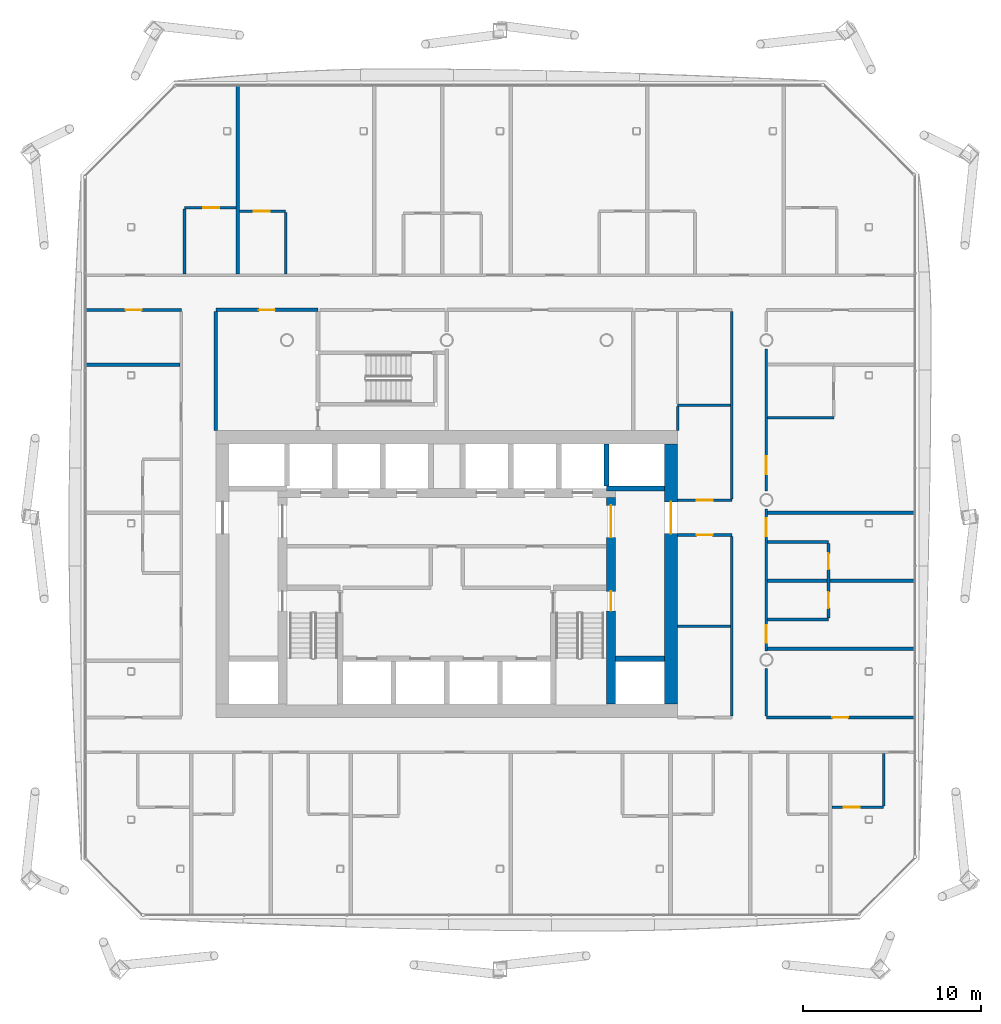
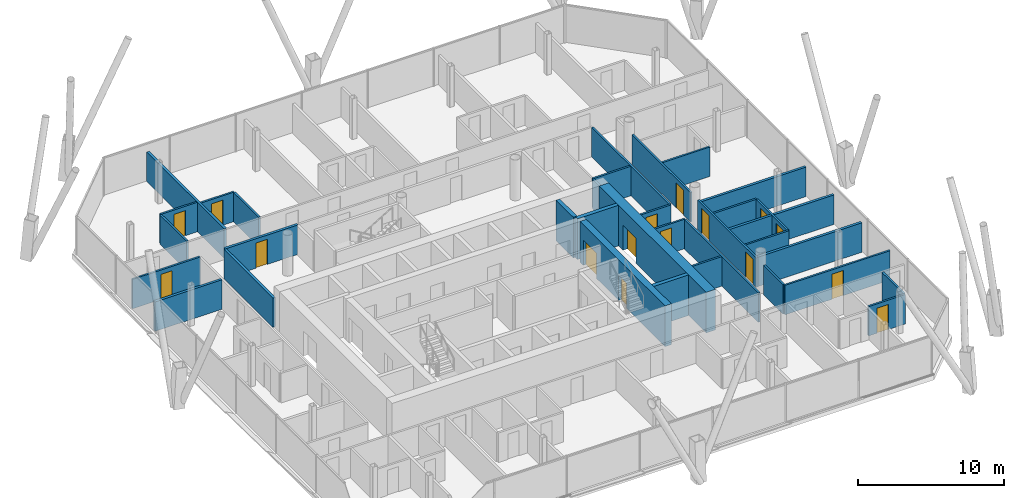
# One storey, part 15 of 22: 34 walls, 16 doors, 16 openings.
"""IFC4 building model written with IfcOpenShell, lengths in metres."""

from ifc_helpers import new_model, si_unit, direction, frame, frame_2d, origin, place, context, subcontext, project, spatial, rectangle, extrude, material, layer, layer_set, type_object, element, fill, save


model = new_model("IFC4")

# Units and contexts
model_context = context("Model", 3, precision=1e-05, world=origin(), true_north=direction((0.0, 1.0)))
body_context = subcontext(model_context, "Body", "Model", "MODEL_VIEW")
ifc_project = project(units=[si_unit("LENGTHUNIT", "METRE"), si_unit("AREAUNIT", "SQUARE_METRE"), si_unit("VOLUMEUNIT", "CUBIC_METRE"), si_unit("PLANEANGLEUNIT", "RADIAN"), si_unit("MASSUNIT", "GRAM", prefix="KILO")], contexts=[model_context])

# Site, building, storey
site_placement = place(None, origin())
site = spatial("IfcSite", under=ifc_project, at=site_placement, CompositionType="ELEMENT")
building_placement = place(site_placement, origin())
building = spatial("IfcBuilding", under=site, at=building_placement, Name="Tskaro Facet Tower", CompositionType="ELEMENT")
storey_placement = place(building_placement, frame((0.0, 0.0, 121.5)))
storey = spatial("IfcBuildingStorey", under=building, at=storey_placement, Name="L28", CompositionType="ELEMENT", Elevation=121.5)

# Walls
ifc_material_1 = material(Name="Concrete C60/75", Category="concrete")
ifc_layer_1 = layer(ifc_material_1, 0.300048828125, Name="Concrete C60/75")
ifc_layer_set_1 = layer_set([ifc_layer_1], Name="Concrete C60/75")
wall_type_1 = type_object("IfcWallType", Name="CORE-SHAFT", PredefinedType="SHEAR", material=ifc_layer_set_1)
wall_1_placement = place(storey_placement, frame((9.5, -8.949951171875, 0.0), z_axis=(0.0, 0.0, 1.0), x_axis=(1.0, 0.0, 0.0)))
element("IfcWall", 1, at=wall_1_placement, inside=storey, type_object=wall_type_1, Name="Shaft wall W016", PredefinedType="SHEAR", context=body_context, shape_type="SweptSolid", body=[
    extrude(rectangle(XDim=2.75, YDim=0.300048828125, at=frame_2d((1.375, 0.0))), origin(), (0.0, 0.0, 1.0), 3.39990234375),
])
wall_2_placement = place(storey_placement, frame((12.25, 0.64990234375, 0.0), z_axis=(0.0, 0.0, 1.0), x_axis=(-1.0, 0.0, 0.0)))
element("IfcWall", 2, at=wall_2_placement, inside=storey, type_object=wall_type_1, Name="Shaft wall W033", PredefinedType="SHEAR", context=body_context, shape_type="SweptSolid", body=[
    extrude(rectangle(XDim=3.25, YDim=0.300048828125, at=frame_2d((1.625, 0.0))), origin(), (0.0, 0.0, 1.0), 3.39990234375),
])
wall_3_placement = place(storey_placement, frame((9.0, 0.800048828125, 0.0), z_axis=(0.0, 0.0, 1.0), x_axis=(0.0, 1.0, 0.0)))
element("IfcWall", 3, at=wall_3_placement, inside=storey, type_object=wall_type_1, Name="Shaft wall W095", PredefinedType="SHEAR", context=body_context, shape_type="SweptSolid", body=[
    extrude(rectangle(XDim=2.349853515625, YDim=0.300048828125, at=frame_2d((1.1748046875, 0.0))), origin(), (0.0, 0.0, 1.0), 3.39990234375),
])

# Wall, openings, doors
ifc_material_2 = material(Name="Concrete C40/50", Category="concrete")
ifc_layer_2 = layer(ifc_material_2, 0.5, Name="Concrete C40/50")
ifc_layer_set_2 = layer_set([ifc_layer_2], Name="Concrete C40/50")
wall_type_2 = type_object("IfcWallType", Name="Core wall 500", PredefinedType="SHEAR", material=ifc_layer_set_2)
wall_4_placement = place(storey_placement, frame((9.25, -11.5, 0.0), z_axis=(0.0, 0.0, 1.0), x_axis=(0.0, 1.0, 0.0)))
wall_4 = element("IfcWall", 4, at=wall_4_placement, inside=storey, type_object=wall_type_2, Name="Core wall CW-Z3E", PredefinedType="SHEAR", context=body_context, shape_type="SweptSolid", body=[
    extrude(rectangle(XDim=11.64990234375, YDim=0.5, at=frame_2d((5.824951171875, 0.0))), origin(), (0.0, 0.0, 1.0), 3.39990234375),
])
opening_1_placement = place(wall_4_placement, frame((9.39990234375, 0.0, 0.0)))
opening_1 = element("IfcOpeningElement", 5, at=opening_1_placement, cuts=wall_4, Name="Opening T8-D32", PredefinedType="OPENING", context=body_context, shape_type="SweptSolid", body=[
    extrude(rectangle(XDim=1.800048828125, YDim=2.10009765625, at=frame_2d((0.89990234375, 1.050048828125))), frame((0.0, 0.260009765625, 0.0), z_axis=(0.0, -1.0, 0.0), x_axis=(1.0, 0.0, 0.0)), (0.0, 0.0, 1.0), 0.52001953125),
])
opening_2_placement = place(wall_4_placement, frame((5.25, 0.0, 0.0)))
opening_2 = element("IfcOpeningElement", 6, at=opening_2_placement, cuts=wall_4, Name="Opening ST-2-D2", PredefinedType="OPENING", context=body_context, shape_type="SweptSolid", body=[
    extrude(rectangle(XDim=1.10009765625, YDim=2.10009765625, at=frame_2d((0.550048828125, 1.050048828125))), frame((0.0, 0.260009765625, 0.0), z_axis=(0.0, -1.0, 0.0), x_axis=(1.0, 0.0, 0.0)), (0.0, 0.0, 1.0), 0.52001953125),
])
ifc_material_3 = material(Name="Steel", Category="steel")
door_type_1 = type_object("IfcDoorType", Name="D-CORE-PAIR", OperationType="NOTDEFINED", PredefinedType="DOOR", material=ifc_material_3)
door_1_placement = place(opening_1_placement, origin())
door_1 = element("IfcDoor", 7, at=door_1_placement, inside=storey, type_object=door_type_1, Name="Door T8-D32", OperationType="DOUBLE_DOOR_SINGLE_SWING", OverallHeight=2.10009765625, OverallWidth=1.800048828125, PredefinedType="DOOR", context=body_context, shape_type="SweptSolid", body=[
    extrude(rectangle(XDim=1.800048828125, YDim=2.10009765625, at=frame_2d((0.89990234375, 1.050048828125))), frame((0.0, 0.02490234375, 0.0), z_axis=(0.0, -1.0, 0.0), x_axis=(1.0, 0.0, 0.0)), (0.0, 0.0, 1.0), 0.050048828125),
])
fill(opening_1, door_1)
door_type_2 = type_object("IfcDoorType", Name="D-STAIR", OperationType="NOTDEFINED", PredefinedType="DOOR", material=ifc_material_3)
door_2_placement = place(opening_2_placement, origin())
door_2 = element("IfcDoor", 8, at=door_2_placement, inside=storey, type_object=door_type_2, Name="Stair door 2 east", OperationType="SINGLE_SWING_LEFT", OverallHeight=2.10009765625, OverallWidth=1.10009765625, PredefinedType="DOOR", context=body_context, shape_type="SweptSolid", body=[
    extrude(rectangle(XDim=1.10009765625, YDim=2.10009765625, at=frame_2d((0.550048828125, 1.050048828125))), frame((0.0, 0.02490234375, 0.0), z_axis=(0.0, -1.0, 0.0), x_axis=(1.0, 0.0, 0.0)), (0.0, 0.0, 1.0), 0.050048828125),
])
fill(opening_2, door_2)

# Wall, opening, door
ifc_material_4 = material(Name="Concrete C50/60", Category="concrete")
ifc_layer_3 = layer(ifc_material_4, 0.75, Name="Concrete C50/60")
ifc_layer_set_3 = layer_set([ifc_layer_3], Name="Concrete C50/60")
wall_type_3 = type_object("IfcWallType", Name="Core wall 750", PredefinedType="SHEAR", material=ifc_layer_set_3)
wall_5_placement = place(storey_placement, frame((12.625, -11.5, 0.0), z_axis=(0.0, 0.0, 1.0), x_axis=(0.0, 1.0, 0.0)))
wall_5 = element("IfcWall", 9, at=wall_5_placement, inside=storey, type_object=wall_type_3, Name="Core wall CW-Z2E", PredefinedType="SHEAR", context=body_context, shape_type="SweptSolid", body=[
    extrude(rectangle(XDim=14.64990234375, YDim=0.75, at=frame_2d((7.324951171875, 0.0))), origin(), (0.0, 0.0, 1.0), 3.39990234375),
])
opening_3_placement = place(wall_5_placement, frame((9.60009765625, 0.0, 0.0)))
opening_3 = element("IfcOpeningElement", 10, at=opening_3_placement, cuts=wall_5, Name="Opening T8-D34", PredefinedType="OPENING", context=body_context, shape_type="SweptSolid", body=[
    extrude(rectangle(XDim=1.800048828125, YDim=2.10009765625, at=frame_2d((0.89990234375, 1.050048828125))), frame((0.0, 0.385009765625, 0.0), z_axis=(0.0, -1.0, 0.0), x_axis=(1.0, 0.0, 0.0)), (0.0, 0.0, 1.0), 0.77001953125),
])
door_3_placement = place(opening_3_placement, origin())
door_3 = element("IfcDoor", 11, at=door_3_placement, inside=storey, type_object=door_type_1, Name="Door T8-D34", OperationType="DOUBLE_DOOR_SINGLE_SWING", OverallHeight=2.10009765625, OverallWidth=1.800048828125, PredefinedType="DOOR", context=body_context, shape_type="SweptSolid", body=[
    extrude(rectangle(XDim=1.800048828125, YDim=2.10009765625, at=frame_2d((0.89990234375, 1.050048828125))), frame((0.0, 0.02490234375, 0.0), z_axis=(0.0, -1.0, 0.0), x_axis=(1.0, 0.0, 0.0)), (0.0, 0.0, 1.0), 0.050048828125),
])
fill(opening_3, door_3)

ifc_material_5 = material(Name="Gypsum board on steel studs", Category="steel")
ifc_layer_4 = layer(ifc_material_5, 0.14990234375, Name="Gypsum board on steel studs")
ifc_layer_set_4 = layer_set([ifc_layer_4], Name="Gypsum board on steel studs")
wall_type_4 = type_object("IfcWallType", Name="PART-CORR", PredefinedType="PARTITIONING", material=ifc_layer_set_4)
wall_6_placement = place(storey_placement, frame((21.698974609375, -17.300048828125, 0.0), z_axis=(0.0, 0.0, 1.0), x_axis=(1.0, 0.0, 0.0)))
wall_6 = element("IfcWall", 12, at=wall_6_placement, inside=storey, type_object=wall_type_4, Name="Corridor wall W008", PredefinedType="PARTITIONING", context=body_context, shape_type="SweptSolid", body=[
    extrude(rectangle(XDim=2.900146484375, YDim=0.14990234375, at=frame_2d((1.4501953125, 0.0))), origin(), (0.0, 0.0, 1.0), 2.4599609375),
])
opening_4_placement = place(wall_6_placement, frame((0.64990234375, 0.0, 0.0)))
opening_4 = element("IfcOpeningElement", 13, at=opening_4_placement, cuts=wall_6, Name="Opening T8-D08", PredefinedType="OPENING", context=body_context, shape_type="SweptSolid", body=[
    extrude(rectangle(XDim=0.89990234375, YDim=2.10009765625, at=frame_2d((0.449951171875, 1.050048828125))), frame((0.0, 0.0849609375, 0.0), z_axis=(0.0, -1.0, 0.0), x_axis=(1.0, 0.0, 0.0)), (0.0, 0.0, 1.0), 0.169921875),
])
ifc_material_6 = material(Name="Timber", Category="wood")
door_type_3 = type_object("IfcDoorType", Name="D-ROOM", OperationType="NOTDEFINED", PredefinedType="DOOR", material=ifc_material_6)
door_4_placement = place(opening_4_placement, origin())
door_4 = element("IfcDoor", 14, at=door_4_placement, inside=storey, type_object=door_type_3, Name="Door T8-D08", OperationType="SINGLE_SWING_LEFT", OverallHeight=2.10009765625, OverallWidth=0.89990234375, PredefinedType="DOOR", context=body_context, shape_type="SweptSolid", body=[
    extrude(rectangle(XDim=0.89990234375, YDim=2.10009765625, at=frame_2d((0.449951171875, 1.050048828125))), frame((0.0, 0.02490234375, 0.0), z_axis=(0.0, -1.0, 0.0), x_axis=(1.0, 0.0, 0.0)), (0.0, 0.0, 1.0), 0.050048828125),
])
fill(opening_4, door_4)

wall_7_placement = place(storey_placement, frame((18.0, -12.25, 0.0), z_axis=(0.0, 0.0, 1.0), x_axis=(1.0, 0.0, 0.0)))
wall_7 = element("IfcWall", 15, at=wall_7_placement, inside=storey, type_object=wall_type_4, Name="Corridor wall W012", PredefinedType="PARTITIONING", context=body_context, shape_type="SweptSolid", body=[
    extrude(rectangle(XDim=8.31689453125, YDim=0.14990234375, at=frame_2d((4.158447265625, 0.0))), origin(), (0.0, 0.0, 1.0), 2.4599609375),
])
opening_5_placement = place(wall_7_placement, frame((3.70849609375, 0.0, 0.0)))
opening_5 = element("IfcOpeningElement", 16, at=opening_5_placement, cuts=wall_7, Name="Opening T8-D19", PredefinedType="OPENING", context=body_context, shape_type="SweptSolid", body=[
    extrude(rectangle(XDim=0.89990234375, YDim=2.10009765625, at=frame_2d((0.449951171875, 1.050048828125))), frame((0.0, 0.0849609375, 0.0), z_axis=(0.0, -1.0, 0.0), x_axis=(1.0, 0.0, 0.0)), (0.0, 0.0, 1.0), 0.169921875),
])
door_5_placement = place(opening_5_placement, origin())
door_5 = element("IfcDoor", 17, at=door_5_placement, inside=storey, type_object=door_type_3, Name="Door T8-D19", OperationType="SINGLE_SWING_LEFT", OverallHeight=2.10009765625, OverallWidth=0.89990234375, PredefinedType="DOOR", context=body_context, shape_type="SweptSolid", body=[
    extrude(rectangle(XDim=0.89990234375, YDim=2.10009765625, at=frame_2d((0.449951171875, 1.050048828125))), frame((0.0, 0.02490234375, 0.0), z_axis=(0.0, -1.0, 0.0), x_axis=(1.0, 0.0, 0.0)), (0.0, 0.0, 1.0), 0.050048828125),
])
fill(opening_5, door_5)

# Walls
wall_8_placement = place(storey_placement, frame((13.0, -7.112060546875, 0.0), z_axis=(0.0, 0.0, 1.0), x_axis=(1.0, 0.0, 0.0)))
element("IfcWall", 18, at=wall_8_placement, inside=storey, type_object=wall_type_4, Name="Corridor wall W018", PredefinedType="PARTITIONING", context=body_context, shape_type="SweptSolid", body=[
    extrude(rectangle(XDim=2.97509765625, YDim=0.14990234375, at=frame_2d((1.487548828125, 0.0))), origin(), (0.0, 0.0, 1.0), 2.4599609375),
])
for number, where, z_axis, x_axis, name in (
    (19, (18.074951171875, -6.72802734375, 0.0), (0.0, 0.0, 1.0), (1.0, 0.0, 0.0), "Corridor wall W019"),
    (20, (18.074951171875, -2.367919921875, 0.0), (0.0, 0.0, 1.0), (1.0, 0.0, 0.0), "Corridor wall W027"),
):
    element("IfcWall", number, at=place(storey_placement, frame(where, z_axis=z_axis, x_axis=x_axis)), inside=storey, type_object=wall_type_4, Name=name, PredefinedType="PARTITIONING", context=body_context, shape_type="SweptSolid", body=[
        extrude(rectangle(XDim=3.425048828125, YDim=0.14990234375, at=frame_2d((1.71240234375, 0.0))), origin(), (0.0, 0.0, 1.0), 2.4599609375),
    ])

# Wall, opening, door
wall_9_placement = place(storey_placement, frame((16.050048828125, -1.97509765625, 0.0), z_axis=(0.0, 0.0, 1.0), x_axis=(-1.0, 0.0, 0.0)))
wall_9 = element("IfcWall", 21, at=wall_9_placement, inside=storey, type_object=wall_type_4, Name="Corridor wall W028", PredefinedType="PARTITIONING", context=body_context, shape_type="SweptSolid", body=[
    extrude(rectangle(XDim=3.050048828125, YDim=0.14990234375, at=frame_2d((1.52490234375, 0.0))), origin(), (0.0, 0.0, 1.0), 2.4599609375),
])
opening_6_placement = place(wall_9_placement, frame((1.074951171875, 0.0, 0.0)))
opening_6 = element("IfcOpeningElement", 22, at=opening_6_placement, cuts=wall_9, Name="Opening T8-D29", PredefinedType="OPENING", context=body_context, shape_type="SweptSolid", body=[
    extrude(rectangle(XDim=0.89990234375, YDim=2.10009765625, at=frame_2d((0.449951171875, 1.050048828125))), frame((0.0, 0.0849609375, 0.0), z_axis=(0.0, -1.0, 0.0), x_axis=(1.0, 0.0, 0.0)), (0.0, 0.0, 1.0), 0.169921875),
])
door_6_placement = place(opening_6_placement, origin())
door_6 = element("IfcDoor", 23, at=door_6_placement, inside=storey, type_object=door_type_3, Name="Door T8-D29", OperationType="SINGLE_SWING_RIGHT", OverallHeight=2.10009765625, OverallWidth=0.89990234375, PredefinedType="DOOR", context=body_context, shape_type="SweptSolid", body=[
    extrude(rectangle(XDim=0.89990234375, YDim=2.10009765625, at=frame_2d((0.449951171875, 1.050048828125))), frame((0.0, 0.02490234375, 0.0), z_axis=(0.0, -1.0, 0.0), x_axis=(1.0, 0.0, 0.0)), (0.0, 0.0, 1.0), 0.050048828125),
])
fill(opening_6, door_6)

wall_10_placement = place(storey_placement, frame((13.0, -0.02490234375, 0.0), z_axis=(0.0, 0.0, 1.0), x_axis=(1.0, 0.0, 0.0)))
wall_10 = element("IfcWall", 24, at=wall_10_placement, inside=storey, type_object=wall_type_4, Name="Corridor wall W031", PredefinedType="PARTITIONING", context=body_context, shape_type="SweptSolid", body=[
    extrude(rectangle(XDim=3.050048828125, YDim=0.14990234375, at=frame_2d((1.52490234375, 0.0))), origin(), (0.0, 0.0, 1.0), 2.4599609375),
])
opening_7_placement = place(wall_10_placement, frame((1.074951171875, 0.0, 0.0)))
opening_7 = element("IfcOpeningElement", 25, at=opening_7_placement, cuts=wall_10, Name="Opening T8-D35", PredefinedType="OPENING", context=body_context, shape_type="SweptSolid", body=[
    extrude(rectangle(XDim=0.89990234375, YDim=2.10009765625, at=frame_2d((0.449951171875, 1.050048828125))), frame((0.0, 0.0849609375, 0.0), z_axis=(0.0, -1.0, 0.0), x_axis=(1.0, 0.0, 0.0)), (0.0, 0.0, 1.0), 0.169921875),
])
door_7_placement = place(opening_7_placement, origin())
door_7 = element("IfcDoor", 26, at=door_7_placement, inside=storey, type_object=door_type_3, Name="Door T8-D35", OperationType="SINGLE_SWING_LEFT", OverallHeight=2.10009765625, OverallWidth=0.89990234375, PredefinedType="DOOR", context=body_context, shape_type="SweptSolid", body=[
    extrude(rectangle(XDim=0.89990234375, YDim=2.10009765625, at=frame_2d((0.449951171875, 1.050048828125))), frame((0.0, 0.02490234375, 0.0), z_axis=(0.0, -1.0, 0.0), x_axis=(1.0, 0.0, 0.0)), (0.0, 0.0, 1.0), 0.050048828125),
])
fill(opening_7, door_7)

# Walls
wall_11_placement = place(storey_placement, frame((18.074951171875, 4.6259765625, 0.0), z_axis=(0.0, 0.0, 1.0), x_axis=(1.0, 0.0, 0.0)))
element("IfcWall", 27, at=wall_11_placement, inside=storey, type_object=wall_type_4, Name="Corridor wall W035", PredefinedType="PARTITIONING", context=body_context, shape_type="SweptSolid", body=[
    extrude(rectangle(XDim=3.72509765625, YDim=0.14990234375, at=frame_2d((1.862548828125, 0.0))), origin(), (0.0, 0.0, 1.0), 2.4599609375),
])
wall_12_placement = place(storey_placement, frame((13.0, 5.3369140625, 0.0), z_axis=(0.0, 0.0, 1.0), x_axis=(1.0, 0.0, 0.0)))
element("IfcWall", 28, at=wall_12_placement, inside=storey, type_object=wall_type_4, Name="Corridor wall W036", PredefinedType="PARTITIONING", context=body_context, shape_type="SweptSolid", body=[
    extrude(rectangle(XDim=2.97509765625, YDim=0.14990234375, at=frame_2d((1.487548828125, 0.0))), origin(), (0.0, 0.0, 1.0), 2.4599609375),
])

# Wall, opening, door
wall_13_placement = place(storey_placement, frame((-14.949951171875, 10.699951171875, 0.0), z_axis=(0.0, 0.0, 1.0), x_axis=(-1.0, 0.0, 0.0)))
wall_13 = element("IfcWall", 29, at=wall_13_placement, inside=storey, type_object=wall_type_4, Name="Corridor wall W043", PredefinedType="PARTITIONING", context=body_context, shape_type="SweptSolid", body=[
    extrude(rectangle(XDim=5.366943359375, YDim=0.14990234375, at=frame_2d((2.68359375, 0.0))), origin(), (0.0, 0.0, 1.0), 2.4599609375),
])
opening_8_placement = place(wall_13_placement, frame((2.2333984375, 0.0, 0.0)))
opening_8 = element("IfcOpeningElement", 30, at=opening_8_placement, cuts=wall_13, Name="Opening T8-D43", PredefinedType="OPENING", context=body_context, shape_type="SweptSolid", body=[
    extrude(rectangle(XDim=0.89990234375, YDim=2.10009765625, at=frame_2d((0.449951171875, 1.050048828125))), frame((0.0, 0.0849609375, 0.0), z_axis=(0.0, -1.0, 0.0), x_axis=(1.0, 0.0, 0.0)), (0.0, 0.0, 1.0), 0.169921875),
])
door_8_placement = place(opening_8_placement, origin())
door_8 = element("IfcDoor", 31, at=door_8_placement, inside=storey, type_object=door_type_3, Name="Door T8-D43", OperationType="SINGLE_SWING_RIGHT", OverallHeight=2.10009765625, OverallWidth=0.89990234375, PredefinedType="DOOR", context=body_context, shape_type="SweptSolid", body=[
    extrude(rectangle(XDim=0.89990234375, YDim=2.10009765625, at=frame_2d((0.449951171875, 1.050048828125))), frame((0.0, 0.02490234375, 0.0), z_axis=(0.0, -1.0, 0.0), x_axis=(1.0, 0.0, 0.0)), (0.0, 0.0, 1.0), 0.050048828125),
])
fill(opening_8, door_8)

wall_14_placement = place(storey_placement, frame((-9.068115234375, 16.25, 0.0), z_axis=(0.0, 0.0, 1.0), x_axis=(-1.0, 0.0, 0.0)))
wall_14 = element("IfcWall", 32, at=wall_14_placement, inside=storey, type_object=wall_type_4, Name="Corridor wall W051", PredefinedType="PARTITIONING", context=body_context, shape_type="SweptSolid", body=[
    extrude(rectangle(XDim=2.599853515625, YDim=0.14990234375, at=frame_2d((1.2998046875, 0.0))), origin(), (0.0, 0.0, 1.0), 2.4599609375),
])
opening_9_placement = place(wall_14_placement, frame((0.89990234375, 0.0, 0.0)))
opening_9 = element("IfcOpeningElement", 33, at=opening_9_placement, cuts=wall_14, Name="Opening T8-D59", PredefinedType="OPENING", context=body_context, shape_type="SweptSolid", body=[
    extrude(rectangle(XDim=0.89990234375, YDim=2.10009765625, at=frame_2d((0.449951171875, 1.050048828125))), frame((0.0, 0.0849609375, 0.0), z_axis=(0.0, -1.0, 0.0), x_axis=(1.0, 0.0, 0.0)), (0.0, 0.0, 1.0), 0.169921875),
])
door_9_placement = place(opening_9_placement, origin())
door_9 = element("IfcDoor", 34, at=door_9_placement, inside=storey, type_object=door_type_3, Name="Door T8-D59", OperationType="SINGLE_SWING_RIGHT", OverallHeight=2.10009765625, OverallWidth=0.89990234375, PredefinedType="DOOR", context=body_context, shape_type="SweptSolid", body=[
    extrude(rectangle(XDim=0.89990234375, YDim=2.10009765625, at=frame_2d((0.449951171875, 1.050048828125))), frame((0.0, 0.02490234375, 0.0), z_axis=(0.0, -1.0, 0.0), x_axis=(1.0, 0.0, 0.0)), (0.0, 0.0, 1.0), 0.050048828125),
])
fill(opening_9, door_9)

wall_15_placement = place(storey_placement, frame((-11.867919921875, 16.449951171875, 0.0), z_axis=(0.0, 0.0, 1.0), x_axis=(-1.0, 0.0, 0.0)))
wall_15 = element("IfcWall", 35, at=wall_15_placement, inside=storey, type_object=wall_type_4, Name="Corridor wall W053", PredefinedType="PARTITIONING", context=body_context, shape_type="SweptSolid", body=[
    extrude(rectangle(XDim=2.900146484375, YDim=0.14990234375, at=frame_2d((1.4501953125, 0.0))), origin(), (0.0, 0.0, 1.0), 2.4599609375),
])
opening_10_placement = place(wall_15_placement, frame((0.949951171875, 0.0, 0.0)))
opening_10 = element("IfcOpeningElement", 36, at=opening_10_placement, cuts=wall_15, Name="Opening T8-D62", PredefinedType="OPENING", context=body_context, shape_type="SweptSolid", body=[
    extrude(rectangle(XDim=0.89990234375, YDim=2.10009765625, at=frame_2d((0.449951171875, 1.050048828125))), frame((0.0, 0.0849609375, 0.0), z_axis=(0.0, -1.0, 0.0), x_axis=(1.0, 0.0, 0.0)), (0.0, 0.0, 1.0), 0.169921875),
])
door_10_placement = place(opening_10_placement, origin())
door_10 = element("IfcDoor", 37, at=door_10_placement, inside=storey, type_object=door_type_3, Name="Door T8-D62", OperationType="SINGLE_SWING_RIGHT", OverallHeight=2.10009765625, OverallWidth=0.89990234375, PredefinedType="DOOR", context=body_context, shape_type="SweptSolid", body=[
    extrude(rectangle(XDim=0.89990234375, YDim=2.10009765625, at=frame_2d((0.449951171875, 1.050048828125))), frame((0.0, 0.02490234375, 0.0), z_axis=(0.0, -1.0, 0.0), x_axis=(1.0, 0.0, 0.0)), (0.0, 0.0, 1.0), 0.050048828125),
])
fill(opening_10, door_10)

# Walls
wall_16_placement = place(storey_placement, frame((-14.76806640625, 12.72509765625, 0.0), z_axis=(0.0, 0.0, 1.0), x_axis=(0.0, 1.0, 0.0)))
element("IfcWall", 38, at=wall_16_placement, inside=storey, type_object=wall_type_4, Name="Corridor wall W058", PredefinedType="PARTITIONING", context=body_context, shape_type="SweptSolid", body=[
    extrude(rectangle(XDim=3.64990234375, YDim=0.14990234375, at=frame_2d((1.824951171875, 0.0))), origin(), (0.0, 0.0, 1.0), 2.4599609375),
])
wall_17_placement = place(storey_placement, frame((-9.068115234375, 12.72509765625, 0.0), z_axis=(0.0, 0.0, 1.0), x_axis=(0.0, 1.0, 0.0)))
element("IfcWall", 39, at=wall_17_placement, inside=storey, type_object=wall_type_4, Name="Corridor wall W064", PredefinedType="PARTITIONING", context=body_context, shape_type="SweptSolid", body=[
    extrude(rectangle(XDim=3.449951171875, YDim=0.14990234375, at=frame_2d((1.72509765625, 0.0))), origin(), (0.0, 0.0, 1.0), 2.4599609375),
])
wall_18_placement = place(storey_placement, frame((13.0, 3.89990234375, 0.0), z_axis=(0.0, 0.0, 1.0), x_axis=(0.0, 1.0, 0.0)))
element("IfcWall", 40, at=wall_18_placement, inside=storey, type_object=wall_type_4, Name="Corridor wall W100", PredefinedType="PARTITIONING", context=body_context, shape_type="SweptSolid", body=[
    extrude(rectangle(XDim=1.362060546875, YDim=0.14990234375, at=frame_2d((0.68115234375, 0.0))), origin(), (0.0, 0.0, 1.0), 2.4599609375),
])
wall_19_placement = place(storey_placement, frame((16.050048828125, -12.175048828125, 0.0), z_axis=(0.0, 0.0, 1.0), x_axis=(0.0, 1.0, 0.0)))
element("IfcWall", 41, at=wall_19_placement, inside=storey, type_object=wall_type_4, Name="Corridor wall W104", PredefinedType="PARTITIONING", context=body_context, shape_type="SweptSolid", body=[
    extrude(rectangle(XDim=10.125, YDim=0.14990234375, at=frame_2d((5.0625, 0.0))), origin(), (0.0, 0.0, 1.0), 2.4599609375),
])
wall_20_placement = place(storey_placement, frame((16.050048828125, 0.050048828125, 0.0), z_axis=(0.0, 0.0, 1.0), x_axis=(0.0, 1.0, 0.0)))
element("IfcWall", 42, at=wall_20_placement, inside=storey, type_object=wall_type_4, Name="Corridor wall W105", PredefinedType="PARTITIONING", context=body_context, shape_type="SweptSolid", body=[
    extrude(rectangle(XDim=10.574951171875, YDim=0.14990234375, at=frame_2d((5.28759765625, 0.0))), origin(), (0.0, 0.0, 1.0), 2.4599609375),
])
wall_21_placement = place(storey_placement, frame((18.0, -12.175048828125, 0.0), z_axis=(0.0, 0.0, 1.0), x_axis=(0.0, 1.0, 0.0)))
element("IfcWall", 43, at=wall_21_placement, inside=storey, type_object=wall_type_4, Name="Corridor wall W107", PredefinedType="PARTITIONING", context=body_context, shape_type="SweptSolid", body=[
    extrude(rectangle(XDim=2.675048828125, YDim=0.14990234375, at=frame_2d((1.33740234375, 0.0))), origin(), (0.0, 0.0, 1.0), 2.4599609375),
])

# Wall, openings, doors
wall_22_placement = place(storey_placement, frame((18.0, -0.5, 0.0), z_axis=(0.0, 0.0, 1.0), x_axis=(0.0, -1.0, 0.0)))
wall_22 = element("IfcWall", 44, at=wall_22_placement, inside=storey, type_object=wall_type_4, Name="Corridor wall W108", PredefinedType="PARTITIONING", context=body_context, shape_type="SweptSolid", body=[
    extrude(rectangle(XDim=8.0, YDim=0.14990234375, at=frame_2d((4.0, 0.0))), origin(), (0.0, 0.0, 1.0), 2.4599609375),
])
opening_11_placement = place(wall_22_placement, frame((6.553955078125, 0.0, 0.0)))
opening_11 = element("IfcOpeningElement", 45, at=opening_11_placement, cuts=wall_22, Name="Opening T8-D22", PredefinedType="OPENING", context=body_context, shape_type="SweptSolid", body=[
    extrude(rectangle(XDim=1.0, YDim=2.10009765625, at=frame_2d((0.5, 1.050048828125))), frame((0.0, 0.0849609375, 0.0), z_axis=(0.0, -1.0, 0.0), x_axis=(1.0, 0.0, 0.0)), (0.0, 0.0, 1.0), 0.169921875),
])
opening_12_placement = place(wall_22_placement, frame((0.5419921875, 0.0, 0.0)))
opening_12 = element("IfcOpeningElement", 46, at=opening_12_placement, cuts=wall_22, Name="Opening T8-D30", PredefinedType="OPENING", context=body_context, shape_type="SweptSolid", body=[
    extrude(rectangle(XDim=1.0, YDim=2.10009765625, at=frame_2d((0.5, 1.050048828125))), frame((0.0, 0.0849609375, 0.0), z_axis=(0.0, -1.0, 0.0), x_axis=(1.0, 0.0, 0.0)), (0.0, 0.0, 1.0), 0.169921875),
])
door_type_4 = type_object("IfcDoorType", Name="D-ENTRY", OperationType="NOTDEFINED", PredefinedType="DOOR", material=ifc_material_6)
door_11_placement = place(opening_11_placement, origin())
door_11 = element("IfcDoor", 47, at=door_11_placement, inside=storey, type_object=door_type_4, Name="Door T8-D22", OperationType="SINGLE_SWING_LEFT", OverallHeight=2.10009765625, OverallWidth=1.0, PredefinedType="DOOR", context=body_context, shape_type="SweptSolid", body=[
    extrude(rectangle(XDim=1.0, YDim=2.10009765625, at=frame_2d((0.5, 1.050048828125))), frame((0.0, 0.02490234375, 0.0), z_axis=(0.0, -1.0, 0.0), x_axis=(1.0, 0.0, 0.0)), (0.0, 0.0, 1.0), 0.050048828125),
])
fill(opening_11, door_11)
door_12_placement = place(opening_12_placement, origin())
door_12 = element("IfcDoor", 48, at=door_12_placement, inside=storey, type_object=door_type_4, Name="Door T8-D30", OperationType="SINGLE_SWING_RIGHT", OverallHeight=2.10009765625, OverallWidth=1.0, PredefinedType="DOOR", context=body_context, shape_type="SweptSolid", body=[
    extrude(rectangle(XDim=1.0, YDim=2.10009765625, at=frame_2d((0.5, 1.050048828125))), frame((0.0, 0.02490234375, 0.0), z_axis=(0.0, -1.0, 0.0), x_axis=(1.0, 0.0, 0.0)), (0.0, 0.0, 1.0), 0.050048828125),
])
fill(opening_12, door_12)

# Wall, opening, door
wall_23_placement = place(storey_placement, frame((18.0, 8.5, 0.0), z_axis=(0.0, 0.0, 1.0), x_axis=(0.0, -1.0, 0.0)))
wall_23 = element("IfcWall", 49, at=wall_23_placement, inside=storey, type_object=wall_type_4, Name="Corridor wall W109", PredefinedType="PARTITIONING", context=body_context, shape_type="SweptSolid", body=[
    extrude(rectangle(XDim=8.0, YDim=0.14990234375, at=frame_2d((4.0, 0.0))), origin(), (0.0, 0.0, 1.0), 2.4599609375),
])
opening_13_placement = place(wall_23_placement, frame((6.044921875, 0.0, 0.0)))
opening_13 = element("IfcOpeningElement", 50, at=opening_13_placement, cuts=wall_23, Name="Opening T8-D39", PredefinedType="OPENING", context=body_context, shape_type="SweptSolid", body=[
    extrude(rectangle(XDim=1.0, YDim=2.10009765625, at=frame_2d((0.5, 1.050048828125))), frame((0.0, 0.0849609375, 0.0), z_axis=(0.0, -1.0, 0.0), x_axis=(1.0, 0.0, 0.0)), (0.0, 0.0, 1.0), 0.169921875),
])
door_13_placement = place(opening_13_placement, origin())
door_13 = element("IfcDoor", 51, at=door_13_placement, inside=storey, type_object=door_type_4, Name="Door T8-D39", OperationType="SINGLE_SWING_RIGHT", OverallHeight=2.10009765625, OverallWidth=1.0, PredefinedType="DOOR", context=body_context, shape_type="SweptSolid", body=[
    extrude(rectangle(XDim=1.0, YDim=2.10009765625, at=frame_2d((0.5, 1.050048828125))), frame((0.0, 0.02490234375, 0.0), z_axis=(0.0, -1.0, 0.0), x_axis=(1.0, 0.0, 0.0)), (0.0, 0.0, 1.0), 0.050048828125),
])
fill(opening_13, door_13)

# Wall, openings, doors
wall_24_placement = place(storey_placement, frame((21.5, -6.653076171875, 0.0), z_axis=(0.0, 0.0, 1.0), x_axis=(0.0, 1.0, 0.0)))
wall_24 = element("IfcWall", 52, at=wall_24_placement, inside=storey, type_object=wall_type_4, Name="Corridor wall W113", PredefinedType="PARTITIONING", context=body_context, shape_type="SweptSolid", body=[
    extrude(rectangle(XDim=4.2099609375, YDim=0.14990234375, at=frame_2d((2.10498046875, 0.0))), origin(), (0.0, 0.0, 1.0), 2.4599609375),
])
opening_14_placement = place(wall_24_placement, frame((0.56494140625, 0.0, 0.0)))
opening_14 = element("IfcOpeningElement", 53, at=opening_14_placement, cuts=wall_24, Name="Opening T8-D24", PredefinedType="OPENING", context=body_context, shape_type="SweptSolid", body=[
    extrude(rectangle(XDim=0.89990234375, YDim=2.10009765625, at=frame_2d((0.449951171875, 1.050048828125))), frame((0.0, 0.0849609375, 0.0), z_axis=(0.0, -1.0, 0.0), x_axis=(1.0, 0.0, 0.0)), (0.0, 0.0, 1.0), 0.169921875),
])
opening_15_placement = place(wall_24_placement, frame((2.7451171875, 0.0, 0.0)))
opening_15 = element("IfcOpeningElement", 54, at=opening_15_placement, cuts=wall_24, Name="Opening T8-D25", PredefinedType="OPENING", context=body_context, shape_type="SweptSolid", body=[
    extrude(rectangle(XDim=0.89990234375, YDim=2.10009765625, at=frame_2d((0.449951171875, 1.050048828125))), frame((0.0, 0.0849609375, 0.0), z_axis=(0.0, -1.0, 0.0), x_axis=(1.0, 0.0, 0.0)), (0.0, 0.0, 1.0), 0.169921875),
])
door_14_placement = place(opening_14_placement, origin())
door_14 = element("IfcDoor", 55, at=door_14_placement, inside=storey, type_object=door_type_3, Name="Door T8-D24", OperationType="SINGLE_SWING_LEFT", OverallHeight=2.10009765625, OverallWidth=0.89990234375, PredefinedType="DOOR", context=body_context, shape_type="SweptSolid", body=[
    extrude(rectangle(XDim=0.89990234375, YDim=2.10009765625, at=frame_2d((0.449951171875, 1.050048828125))), frame((0.0, 0.02490234375, 0.0), z_axis=(0.0, -1.0, 0.0), x_axis=(1.0, 0.0, 0.0)), (0.0, 0.0, 1.0), 0.050048828125),
])
fill(opening_14, door_14)
door_15_placement = place(opening_15_placement, origin())
door_15 = element("IfcDoor", 56, at=door_15_placement, inside=storey, type_object=door_type_3, Name="Door T8-D25", OperationType="SINGLE_SWING_LEFT", OverallHeight=2.10009765625, OverallWidth=0.89990234375, PredefinedType="DOOR", context=body_context, shape_type="SweptSolid", body=[
    extrude(rectangle(XDim=0.89990234375, YDim=2.10009765625, at=frame_2d((0.449951171875, 1.050048828125))), frame((0.0, 0.02490234375, 0.0), z_axis=(0.0, -1.0, 0.0), x_axis=(1.0, 0.0, 0.0)), (0.0, 0.0, 1.0), 0.050048828125),
])
fill(opening_15, door_15)

# Walls
wall_25_placement = place(storey_placement, frame((24.59912109375, -17.22509765625, 0.0), z_axis=(0.0, 0.0, 1.0), x_axis=(0.0, 1.0, 0.0)))
element("IfcWall", 57, at=wall_25_placement, inside=storey, type_object=wall_type_4, Name="Corridor wall W117", PredefinedType="PARTITIONING", context=body_context, shape_type="SweptSolid", body=[
    extrude(rectangle(XDim=2.9501953125, YDim=0.14990234375, at=frame_2d((1.47509765625, 0.0))), origin(), (0.0, 0.0, 1.0), 2.4599609375),
])
ifc_layer_5 = layer(ifc_material_5, 0.199951171875, Name="Gypsum board on steel studs")
ifc_layer_set_5 = layer_set([ifc_layer_5], Name="Gypsum board on steel studs")
wall_type_5 = type_object("IfcWallType", Name="PART-DEMISING", PredefinedType="PARTITIONING", material=ifc_layer_set_5)
for number, where, z_axis, x_axis, name in (
    (58, (18.074951171875, -8.3798828125, 0.0), (0.0, 0.0, 1.0), (1.0, 0.0, 0.0), "Guest room wall W017"),
    (59, (18.074951171875, -4.548095703125, 0.0), (0.0, 0.0, 1.0), (1.0, 0.0, 0.0), "Guest room wall W024"),
    (60, (18.074951171875, -0.716064453125, 0.0), (0.0, 0.0, 1.0), (1.0, 0.0, 0.0), "Guest room wall W029"),
):
    element("IfcWall", number, at=place(storey_placement, frame(where, z_axis=z_axis, x_axis=x_axis)), inside=storey, type_object=wall_type_5, Name=name, PredefinedType="PARTITIONING", context=body_context, shape_type="SweptSolid", body=[
        extrude(rectangle(XDim=8.241943359375, YDim=0.199951171875, at=frame_2d((4.12109375, 0.0))), origin(), (0.0, 0.0, 1.0), 2.4599609375),
    ])
wall_26_placement = place(storey_placement, frame((-20.31689453125, 7.6259765625, 0.0), z_axis=(0.0, 0.0, 1.0), x_axis=(1.0, 0.0, 0.0)))
element("IfcWall", 61, at=wall_26_placement, inside=storey, type_object=wall_type_5, Name="Guest room wall W038", PredefinedType="PARTITIONING", context=body_context, shape_type="SweptSolid", body=[
    extrude(rectangle(XDim=5.2919921875, YDim=0.199951171875, at=frame_2d((2.64599609375, 0.0))), origin(), (0.0, 0.0, 1.0), 2.4599609375),
])
wall_27_placement = place(storey_placement, frame((-11.76806640625, 12.72509765625, 0.0), z_axis=(0.0, 0.0, 1.0), x_axis=(0.0, 1.0, 0.0)))
element("IfcWall", 62, at=wall_27_placement, inside=storey, type_object=wall_type_5, Name="Guest room wall W062", PredefinedType="PARTITIONING", context=body_context, shape_type="SweptSolid", body=[
    extrude(rectangle(XDim=10.591796875, YDim=0.199951171875, at=frame_2d((5.2958984375, 0.0))), origin(), (0.0, 0.0, 1.0), 2.4599609375),
])

# Wall, opening, door
ifc_material_7 = material(Name="Concrete C20/25", Category="concrete")
ifc_layer_6 = layer(ifc_material_7, 0.199951171875, Name="Concrete C20/25")
ifc_layer_set_6 = layer_set([ifc_layer_6], Name="Concrete C20/25")
wall_type_6 = type_object("IfcWallType", Name="WALL-RISER", PredefinedType="SOLIDWALL", material=ifc_layer_set_6)
wall_28_placement = place(storey_placement, frame((-7.25, 10.699951171875, 0.0), z_axis=(0.0, 0.0, 1.0), x_axis=(-1.0, 0.0, 0.0)))
wall_28 = element("IfcWall", 63, at=wall_28_placement, inside=storey, type_object=wall_type_6, Name="Riser room wall W044", PredefinedType="SOLIDWALL", context=body_context, shape_type="SweptSolid", body=[
    extrude(rectangle(XDim=5.75, YDim=0.199951171875, at=frame_2d((2.875, 0.0))), origin(), (0.0, 0.0, 1.0), 2.4599609375),
])
opening_16_placement = place(wall_28_placement, frame((2.425048828125, 0.0, 0.0)))
opening_16 = element("IfcOpeningElement", 64, at=opening_16_placement, cuts=wall_28, Name="Opening T8-D44", PredefinedType="OPENING", context=body_context, shape_type="SweptSolid", body=[
    extrude(rectangle(XDim=0.89990234375, YDim=2.10009765625, at=frame_2d((0.449951171875, 1.050048828125))), frame((0.0, 0.10986328125, 0.0), z_axis=(0.0, -1.0, 0.0), x_axis=(1.0, 0.0, 0.0)), (0.0, 0.0, 1.0), 0.219970703125),
])
door_type_5 = type_object("IfcDoorType", Name="D-RISER", OperationType="NOTDEFINED", PredefinedType="DOOR", material=ifc_material_3)
door_16_placement = place(opening_16_placement, origin())
door_16 = element("IfcDoor", 65, at=door_16_placement, inside=storey, type_object=door_type_5, Name="Door T8-D44", OperationType="SINGLE_SWING_RIGHT", OverallHeight=2.10009765625, OverallWidth=0.89990234375, PredefinedType="DOOR", context=body_context, shape_type="SweptSolid", body=[
    extrude(rectangle(XDim=0.89990234375, YDim=2.10009765625, at=frame_2d((0.449951171875, 1.050048828125))), frame((0.0, 0.02490234375, 0.0), z_axis=(0.0, -1.0, 0.0), x_axis=(1.0, 0.0, 0.0)), (0.0, 0.0, 1.0), 0.050048828125),
])
fill(opening_16, door_16)

# Wall
wall_29_placement = place(storey_placement, frame((-13.0, 3.89990234375, 0.0), z_axis=(0.0, 0.0, 1.0), x_axis=(0.0, 1.0, 0.0)))
element("IfcWall", 66, at=wall_29_placement, inside=storey, type_object=wall_type_6, Name="Riser room wall W060", PredefinedType="SOLIDWALL", context=body_context, shape_type="SweptSolid", body=[
    extrude(rectangle(XDim=6.7001953125, YDim=0.199951171875, at=frame_2d((3.35009765625, 0.0))), origin(), (0.0, 0.0, 1.0), 2.4599609375),
])

save(model, "model.ifc")
